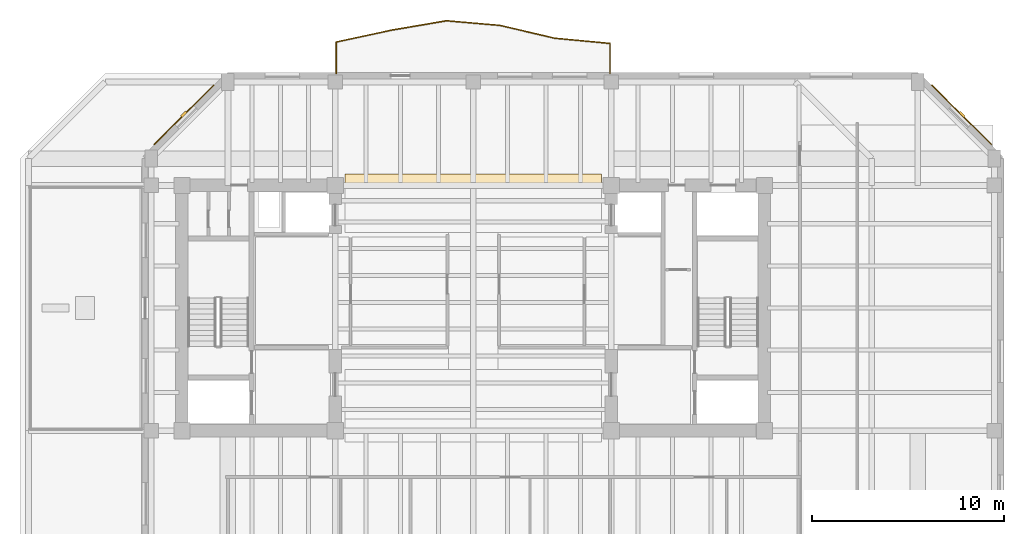
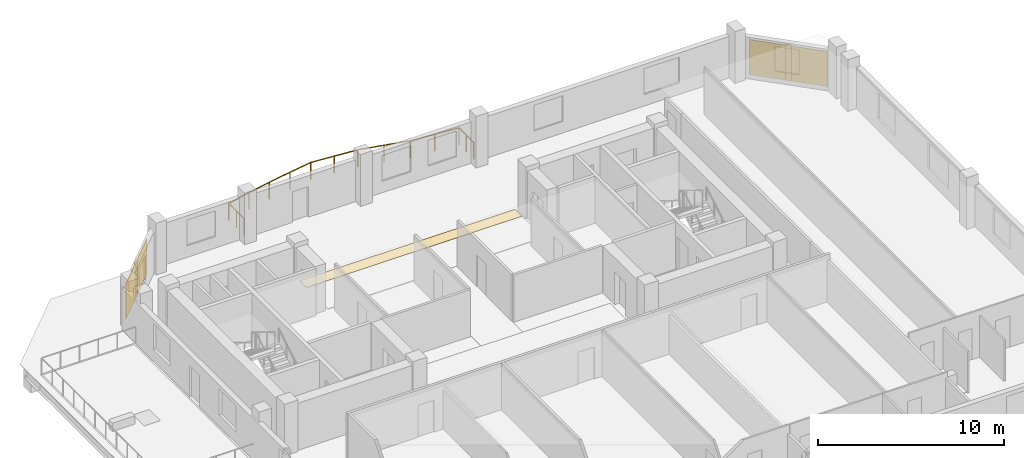
# One storey, part 10 of 11: 3 coverings, 2 shading devices, 1 railing.
"""IFC4 building model written with IfcOpenShell, lengths in metres."""

from ifc_helpers import new_model, si_unit, direction, frame, origin, origin_2d, place, context, subcontext, project, spatial, polyline, rectangle, circle, outline, extrude, material, layer, layer_set, type_object, element, save


model = new_model("IFC4")

# Units and contexts
model_context = context("Model", 3, precision=1e-05, world=origin(), true_north=direction((0.0, 1.0)))
body_context = subcontext(model_context, "Body", "Model", "MODEL_VIEW")
ifc_project = project(units=[si_unit("LENGTHUNIT", "METRE"), si_unit("AREAUNIT", "SQUARE_METRE"), si_unit("VOLUMEUNIT", "CUBIC_METRE"), si_unit("PLANEANGLEUNIT", "RADIAN"), si_unit("MASSUNIT", "GRAM", prefix="KILO")], contexts=[model_context])

# Site, building, storey
site_placement = place(None, origin())
site = spatial("IfcSite", under=ifc_project, at=site_placement, CompositionType="ELEMENT")
building_placement = place(site_placement, origin())
building = spatial("IfcBuilding", under=site, at=building_placement, Name="Kranthara Brick Stack", CompositionType="ELEMENT")
storey_placement = place(building_placement, frame((0.0, 0.0, 227.89990234375)))
storey = spatial("IfcBuildingStorey", under=building, at=storey_placement, Name="L59", CompositionType="ELEMENT", Elevation=227.89990234375)

# Coverings
ifc_material_1 = material(Name="Warm buff kiln-fired brick slip rainscreen", Category="masonry")
ifc_layer_1 = layer(ifc_material_1, 0.044921875)
ifc_layer_set_1 = layer_set([ifc_layer_1], Name="Warm buff kiln-fired brick slip rainscreen")
covering_type_1 = type_object("IfcCoveringType", Name="COV-CLAD-BRICK", PredefinedType="CLADDING", material=ifc_layer_set_1)
for number, where, z_axis, x_axis, name in (
    (1, (12.91259765625, 37.287353515625, 0.05029296875), (0.0, 0.0, 1.0), (0.707106781187, 0.707106781187, 0.0), "L59 Chamfer Brick Rainscreen Cladding NW"),
    (2, (53.4873046875, 37.287353515625, 0.05029296875), (0.0, 0.0, 1.0), (0.707106781187, -0.707106781187, 0.0), "L59 Chamfer Brick Rainscreen Cladding NE"),
):
    element("IfcCovering", number, at=place(storey_placement, frame(where, z_axis=z_axis, x_axis=x_axis)), inside=storey, type_object=covering_type_1, Name=name, PredefinedType="CLADDING", context=body_context, shape_type="SweptSolid", body=[
        extrude(rectangle(XDim=4.39892578125, YDim=0.044921875, at=origin_2d()), origin(), (0.0, 0.0, 1.0), 2.300048828125),
    ])
ifc_material_2 = material(Name="Honed terrazzo and porcelain floor finish", Category="stone")
ifc_layer_2 = layer(ifc_material_2, 0.030029296875)
ifc_layer_set_2 = layer_set([ifc_layer_2], Name="Honed terrazzo and porcelain floor finish")
covering_type_2 = type_object("IfcCoveringType", Name="COV-FLOR-STONE", PredefinedType="FLOORING", material=ifc_layer_set_2)
covering_placement = place(storey_placement, origin())
element("IfcCovering", 3, at=covering_placement, inside=storey, type_object=covering_type_2, Name="L59 Lift Lobby Stone Flooring", PredefinedType="FLOORING", context=body_context, shape_type="SweptSolid", body=[
    extrude(outline(polyline([(34.699951171875, 33.449951171875), (21.300048828125, 33.449951171875), (21.300048828125, 34.199951171875), (34.699951171875, 34.199951171875), (34.699951171875, 33.449951171875)])), origin(), (0.0, 0.0, 1.0), 0.030029296875),
])

# Railing
ifc_material_3 = material(Name="Bronze anodised aluminium and laminated glass balustrade", Category="aluminium")
railing_type = type_object("IfcRailingType", Name="RL-BALC-1120", PredefinedType="BALUSTRADE", material=ifc_material_3)
railing_placement = place(storey_placement, frame((20.860107421875, 39.43994140625, 0.0)))
element("IfcRailing", 4, at=railing_placement, inside=storey, type_object=railing_type, Name="L59 North Rippling Balcony Balustrade", PredefinedType="BALUSTRADE", context=body_context, shape_type="SweptSolid", body=[
    extrude(circle(Radius=0.02392578125, at=origin_2d()), frame((0.0, 0.0, 1.09619140625), z_axis=(0.0, 1.0, 0.0), x_axis=(-1.0, 0.0, 0.0)), (0.0, 0.0, 1.0), 1.6435546875),
    extrude(circle(Radius=0.02392578125, at=origin_2d()), frame((0.0, 1.6435546875, 1.09619140625), z_axis=(0.977479825802, 0.211028884634, 0.0), x_axis=(-0.211028884634, 0.977479825802, 0.0)), (0.0, 0.0, 1.0), 2.945556640625),
    extrude(circle(Radius=0.02392578125, at=origin_2d()), frame((2.879150390625, 2.26513671875, 1.09619140625), z_axis=(0.985762906834, 0.168141284373, 0.0), x_axis=(-0.168141284373, 0.985762906834, 0.0)), (0.0, 0.0, 1.0), 2.908447265625),
    extrude(circle(Radius=0.02392578125, at=origin_2d()), frame((5.74609375, 2.754150390625, 1.09619140625), z_axis=(0.996296771882, -0.085981058019, 0.0), x_axis=(0.085981058019, 0.996296771882, 0.0)), (0.0, 0.0, 1.0), 2.7939453125),
    extrude(circle(Radius=0.02392578125, at=origin_2d()), frame((8.52978515625, 2.513916015625, 1.09619140625), z_axis=(0.973732347565, -0.227695663785, 0.0), x_axis=(0.227695663785, 0.973732347565, 0.0)), (0.0, 0.0, 1.0), 2.947509765625),
    extrude(circle(Radius=0.02392578125, at=origin_2d()), frame((11.39990234375, 1.8427734375, 1.09619140625), z_axis=(0.995601810917, -0.093685826561, 0.0), x_axis=(0.093685826561, 0.995601810917, 0.0)), (0.0, 0.0, 1.0), 2.892578125),
    extrude(circle(Radius=0.02392578125, at=origin_2d()), frame((14.27978515625, 1.57177734375, 1.09619140625), z_axis=(0.0, -1.0, 0.0), x_axis=(1.0, 0.0, 0.0)), (0.0, 0.0, 1.0), 1.57177734375),
    extrude(circle(Radius=0.02099609375, at=origin_2d()), origin(), (0.0, 0.0, 1.0), 1.072021484375),
    extrude(circle(Radius=0.02099609375, at=origin_2d()), frame((0.0, 0.82177734375, 0.0)), (0.0, 0.0, 1.0), 1.072021484375),
    extrude(circle(Radius=0.02099609375, at=origin_2d()), frame((0.0, 1.6435546875, 0.0)), (0.0, 0.0, 1.0), 1.072021484375),
    extrude(circle(Radius=0.02099609375, at=origin_2d()), frame((1.439453125, 1.954345703125, 0.0)), (0.0, 0.0, 1.0), 1.072021484375),
    extrude(circle(Radius=0.02099609375, at=origin_2d()), frame((2.879150390625, 2.26513671875, 0.0)), (0.0, 0.0, 1.0), 1.072021484375),
    extrude(circle(Radius=0.02099609375, at=origin_2d()), frame((4.3125, 2.509765625, 0.0)), (0.0, 0.0, 1.0), 1.072021484375),
    extrude(circle(Radius=0.02099609375, at=origin_2d()), frame((5.74609375, 2.754150390625, 0.0)), (0.0, 0.0, 1.0), 1.072021484375),
    extrude(circle(Radius=0.02099609375, at=origin_2d()), frame((7.137939453125, 2.634033203125, 0.0)), (0.0, 0.0, 1.0), 1.072021484375),
    extrude(circle(Radius=0.02099609375, at=origin_2d()), frame((8.52978515625, 2.513916015625, 0.0)), (0.0, 0.0, 1.0), 1.072021484375),
    extrude(circle(Radius=0.02099609375, at=origin_2d()), frame((9.96484375, 2.17822265625, 0.0)), (0.0, 0.0, 1.0), 1.072021484375),
    extrude(circle(Radius=0.02099609375, at=origin_2d()), frame((11.39990234375, 1.8427734375, 0.0)), (0.0, 0.0, 1.0), 1.072021484375),
    extrude(circle(Radius=0.02099609375, at=origin_2d()), frame((12.83984375, 1.707275390625, 0.0)), (0.0, 0.0, 1.0), 1.072021484375),
    extrude(circle(Radius=0.02099609375, at=origin_2d()), frame((14.27978515625, 1.57177734375, 0.0)), (0.0, 0.0, 1.0), 1.072021484375),
    extrude(circle(Radius=0.02099609375, at=origin_2d()), frame((14.27978515625, 0.785888671875, 0.0)), (0.0, 0.0, 1.0), 1.072021484375),
    extrude(circle(Radius=0.02099609375, at=origin_2d()), frame((14.27978515625, 0.0, 0.0)), (0.0, 0.0, 1.0), 1.072021484375),
])

# Shading devices
ifc_material_4 = material(Name="Kiln-fired terracotta aerodynamic wind fin", Category="masonry")
shading_device_type = type_object("IfcShadingDeviceType", Name="SHD-BAFFLE-CORNER", PredefinedType="SHUTTER", material=ifc_material_4)
for number, where, z_axis, x_axis, name in (
    (5, (12.8916015625, 37.30859375, 0.05029296875), (0.0, 0.0, 1.0), (0.707106781187, 0.707106781187, 0.0), "L59 Chamfer Wind-Baffle Fin NW"),
    (6, (53.508544921875, 37.30859375, 0.05029296875), (0.0, 0.0, 1.0), (0.707106781187, -0.707106781187, 0.0), "L59 Chamfer Wind-Baffle Fin NE"),
):
    element("IfcShadingDevice", number, at=place(storey_placement, frame(where, z_axis=z_axis, x_axis=x_axis)), inside=storey, type_object=shading_device_type, Name=name, PredefinedType="SHUTTER", context=body_context, shape_type="SweptSolid", body=[
        extrude(rectangle(XDim=0.35009765625, YDim=0.1201171875, at=origin_2d()), origin(), (0.0, 0.0, 1.0), 2.300048828125),
    ])

save(model, "model.ifc")
